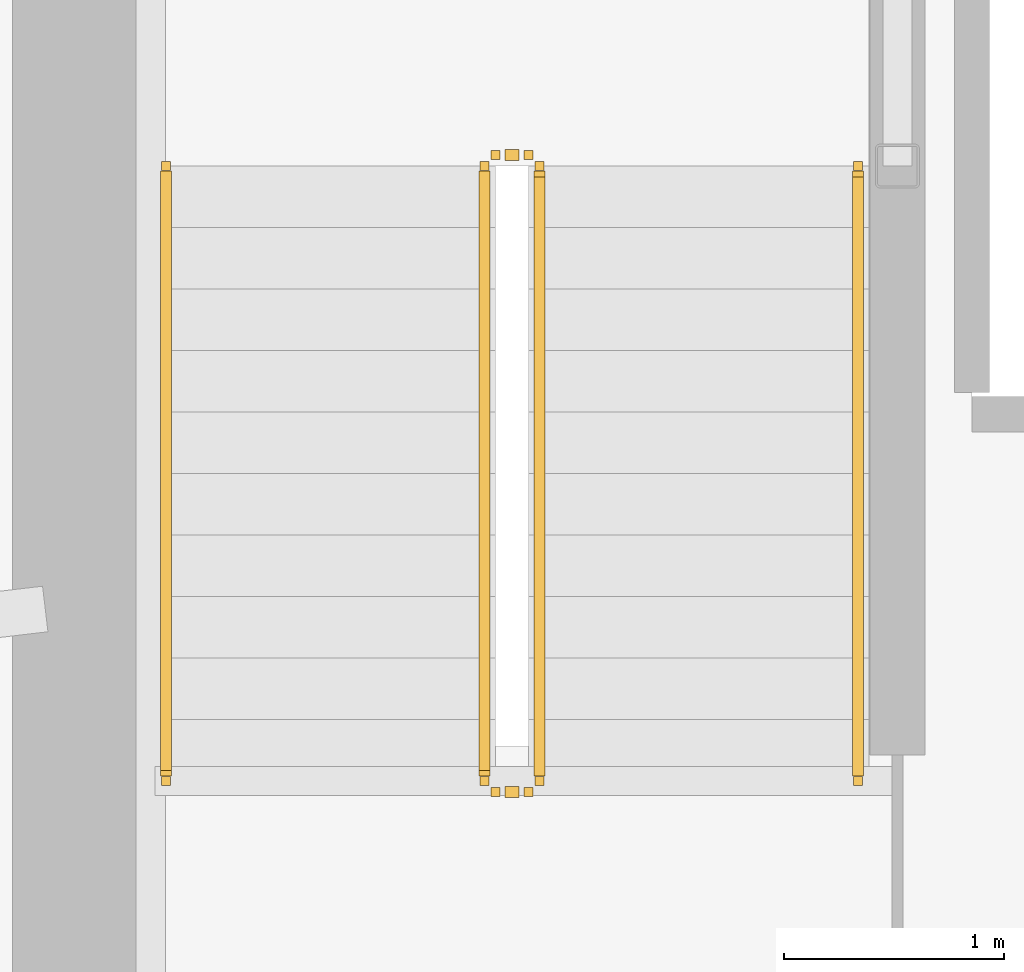
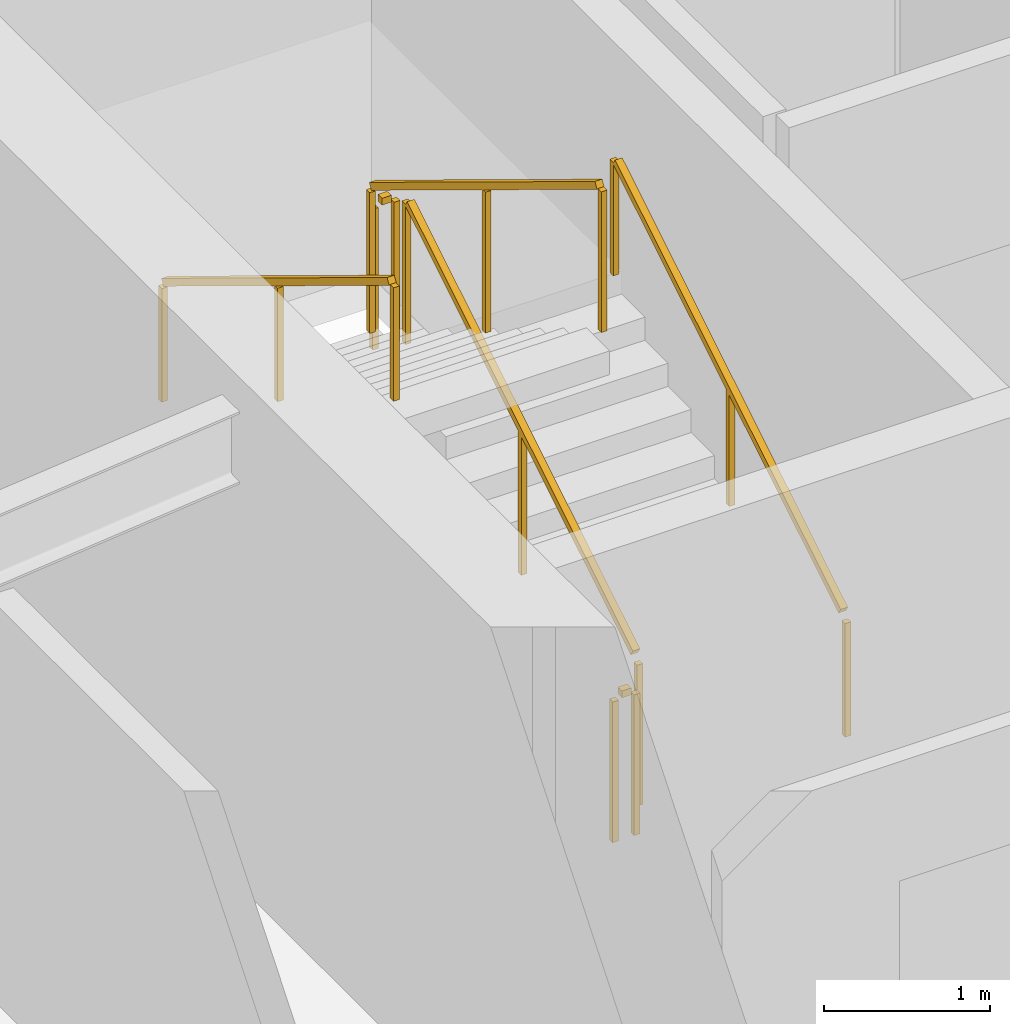
# One storey, part 17 of 20: 6 railings.
"""IFC4 building model written with IfcOpenShell, lengths in metres."""

from ifc_helpers import new_model, si_unit, direction, frame, origin, origin_2d, place, context, subcontext, project, spatial, rectangle, extrude, material, type_object, element, save


model = new_model("IFC4")

# Units and contexts
model_context = context("Model", 3, precision=1e-05, world=origin(), true_north=direction((0.0, 1.0)))
body_context = subcontext(model_context, "Body", "Model", "MODEL_VIEW")
ifc_project = project(units=[si_unit("LENGTHUNIT", "METRE"), si_unit("AREAUNIT", "SQUARE_METRE"), si_unit("VOLUMEUNIT", "CUBIC_METRE"), si_unit("PLANEANGLEUNIT", "RADIAN"), si_unit("MASSUNIT", "GRAM", prefix="KILO")], contexts=[model_context])

# Site, building, storey
site_placement = place(None, origin())
site = spatial("IfcSite", under=ifc_project, at=site_placement, CompositionType="ELEMENT")
building_placement = place(site_placement, origin())
building = spatial("IfcBuilding", under=site, at=building_placement, Name="Kazma Halo Residences", CompositionType="ELEMENT")
storey_placement = place(building_placement, frame((0.0, 0.0, 217.800048828125)))
storey = spatial("IfcBuildingStorey", under=building, at=storey_placement, Name="L55", CompositionType="ELEMENT", Elevation=217.800048828125)

# Railings
ifc_material_1 = material(Name="Painted Steel S355", Category="steel")
railing_type_1 = type_object("IfcRailingType", Name="RLG-STAIR-GRD-1100", PredefinedType="GUARDRAIL", material=ifc_material_1)
railing_1_placement = place(storey_placement, frame((39.550048828125, 39.949951171875, 0.17041015625)))
element("IfcRailing", 1, at=railing_1_placement, inside=storey, type_object=railing_type_1, Name="L55 ST-01 stair guard 1", PredefinedType="GUARDRAIL", context=body_context, shape_type="SweptSolid", body=[
    extrude(rectangle(XDim=0.050048828125, YDim=0.050048828125, at=origin_2d()), frame((0.0, 0.036376953125, 1.09716796875), z_axis=(0.0, 0.854169791009, 0.51999420009), x_axis=(-1.0, 0.0, 0.0)), (0.0, 0.0, 1.0), 3.193115234375),
    extrude(rectangle(XDim=0.0400390625, YDim=0.0400390625, at=origin_2d()), origin(), (0.0, 0.0, 1.0), 1.0380859375),
    extrude(rectangle(XDim=0.0400390625, YDim=0.0400390625, at=origin_2d()), frame((0.0, 1.39990234375, 0.852294921875)), (0.0, 0.0, 1.0), 1.0380859375),
    extrude(rectangle(XDim=0.0400390625, YDim=0.0400390625, at=origin_2d()), frame((0.0, 2.800048828125, 1.70458984375)), (0.0, 0.0, 1.0), 1.0380859375),
])
railing_2_placement = place(storey_placement, frame((39.5, 42.800048828125, 1.875)))
element("IfcRailing", 2, at=railing_2_placement, inside=storey, type_object=railing_type_1, Name="L55 ST-01 stair guard 2", PredefinedType="GUARDRAIL", context=body_context, shape_type="SweptSolid", body=[
    extrude(rectangle(XDim=0.050048828125, YDim=0.050048828125, at=origin_2d()), frame((-0.04248046875, 0.0, 1.0751953125), z_axis=(-1.0, 0.0, 0.0), x_axis=(0.0, -1.0, 0.0)), (0.0, 0.0, 1.0), 0.06494140625),
    extrude(rectangle(XDim=0.0400390625, YDim=0.0400390625, at=origin_2d()), origin(), (0.0, 0.0, 1.0), 1.0380859375),
    extrude(rectangle(XDim=0.0400390625, YDim=0.0400390625, at=origin_2d()), frame((-0.14990234375, 0.0, 0.0)), (0.0, 0.0, 1.0), 1.0380859375),
])
railing_3_placement = place(storey_placement, frame((39.300048828125, 42.75, 2.04541015625)))
element("IfcRailing", 3, at=railing_3_placement, inside=storey, type_object=railing_type_1, Name="L55 ST-01 stair guard 3", PredefinedType="GUARDRAIL", context=body_context, shape_type="SweptSolid", body=[
    extrude(rectangle(XDim=0.050048828125, YDim=0.050048828125, at=origin_2d()), frame((0.0, -0.036376953125, 1.09716796875), z_axis=(0.0, -0.854169791009, 0.51999420009), x_axis=(1.0, 0.0, 0.0)), (0.0, 0.0, 1.0), 3.193115234375),
    extrude(rectangle(XDim=0.0400390625, YDim=0.0400390625, at=origin_2d()), origin(), (0.0, 0.0, 1.0), 1.0380859375),
    extrude(rectangle(XDim=0.0400390625, YDim=0.0400390625, at=origin_2d()), frame((0.0, -1.39990234375, 0.852294921875)), (0.0, 0.0, 1.0), 1.0380859375),
    extrude(rectangle(XDim=0.0400390625, YDim=0.0400390625, at=origin_2d()), frame((0.0, -2.800048828125, 1.70458984375)), (0.0, 0.0, 1.0), 1.0380859375),
])
railing_4_placement = place(storey_placement, frame((39.5, 39.89990234375, 0.0)))
element("IfcRailing", 4, at=railing_4_placement, inside=storey, type_object=railing_type_1, Name="L55 ST-01 stair guard 4", PredefinedType="GUARDRAIL", context=body_context, shape_type="SweptSolid", body=[
    extrude(rectangle(XDim=0.050048828125, YDim=0.050048828125, at=origin_2d()), frame((-0.04248046875, 0.0, 1.0751953125), z_axis=(-1.0, 0.0, 0.0), x_axis=(0.0, -1.0, 0.0)), (0.0, 0.0, 1.0), 0.06494140625),
    extrude(rectangle(XDim=0.0400390625, YDim=0.0400390625, at=origin_2d()), origin(), (0.0, 0.0, 1.0), 1.0380859375),
    extrude(rectangle(XDim=0.0400390625, YDim=0.0400390625, at=origin_2d()), frame((-0.14990234375, 0.0, 0.0)), (0.0, 0.0, 1.0), 1.0380859375),
])
ifc_material_2 = material(Name="Brushed Stainless Steel", Category="steel")
railing_type_2 = type_object("IfcRailingType", Name="RLG-STAIR-HND-900", PredefinedType="HANDRAIL", material=ifc_material_2)
railing_5_placement = place(storey_placement, frame((41.0, 39.949951171875, 0.17041015625)))
element("IfcRailing", 5, at=railing_5_placement, inside=storey, type_object=railing_type_2, Name="L55 ST-01 stair handrail 1", PredefinedType="HANDRAIL", context=body_context, shape_type="SweptSolid", body=[
    extrude(rectangle(XDim=0.050048828125, YDim=0.050048828125, at=origin_2d()), frame((0.0, 0.036376953125, 0.89697265625), z_axis=(0.0, 0.854169791009, 0.51999420009), x_axis=(-1.0, 0.0, 0.0)), (0.0, 0.0, 1.0), 3.193115234375),
    extrude(rectangle(XDim=0.0400390625, YDim=0.0400390625, at=origin_2d()), origin(), (0.0, 0.0, 1.0), 0.837890625),
    extrude(rectangle(XDim=0.0400390625, YDim=0.0400390625, at=origin_2d()), frame((0.0, 1.39990234375, 0.852294921875)), (0.0, 0.0, 1.0), 0.837890625),
    extrude(rectangle(XDim=0.0400390625, YDim=0.0400390625, at=origin_2d()), frame((0.0, 2.800048828125, 1.70458984375)), (0.0, 0.0, 1.0), 0.837890625),
])
railing_6_placement = place(storey_placement, frame((37.85009765625, 42.75, 2.04541015625)))
element("IfcRailing", 6, at=railing_6_placement, inside=storey, type_object=railing_type_2, Name="L55 ST-01 stair handrail 2", PredefinedType="HANDRAIL", context=body_context, shape_type="SweptSolid", body=[
    extrude(rectangle(XDim=0.050048828125, YDim=0.050048828125, at=origin_2d()), frame((0.0, -0.036376953125, 0.89697265625), z_axis=(0.0, -0.854169791009, 0.51999420009), x_axis=(1.0, 0.0, 0.0)), (0.0, 0.0, 1.0), 3.193115234375),
    extrude(rectangle(XDim=0.0400390625, YDim=0.0400390625, at=origin_2d()), origin(), (0.0, 0.0, 1.0), 0.837890625),
    extrude(rectangle(XDim=0.0400390625, YDim=0.0400390625, at=origin_2d()), frame((0.0, -1.39990234375, 0.852294921875)), (0.0, 0.0, 1.0), 0.837890625),
    extrude(rectangle(XDim=0.0400390625, YDim=0.0400390625, at=origin_2d()), frame((0.0, -2.800048828125, 1.70458984375)), (0.0, 0.0, 1.0), 0.837890625),
])

save(model, "model.ifc")
